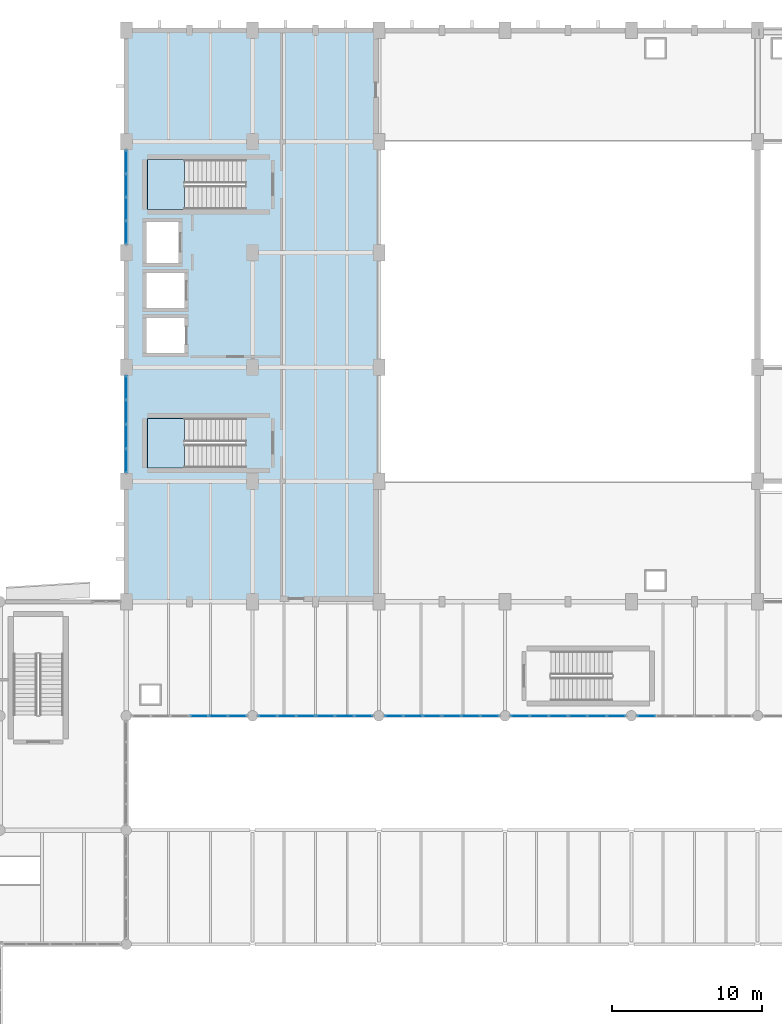
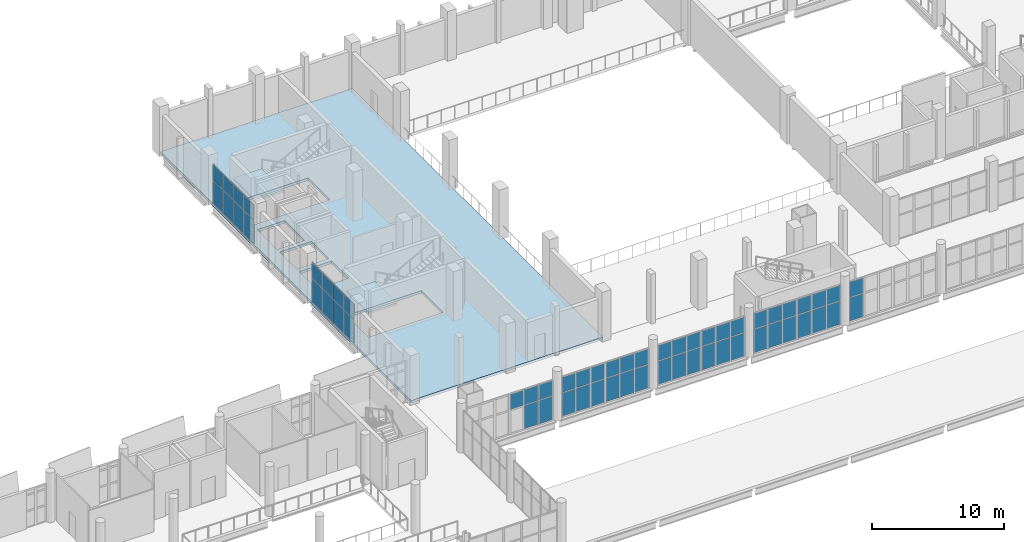
# One storey, part 102 of 136: 59 plates, 3 slabs, 12 elements without a shape of their own.
"""IFC4 building model written with IfcOpenShell, lengths in metres."""

from ifc_helpers import new_model, si_unit, direction, frame, origin, origin_2d, place, context, subcontext, project, spatial, polyline, rectangle, outline, extrude, material, layer, layer_set, type_object, element, aggregate, save


model = new_model("IFC4")

# Units and contexts
model_context = context("Model", 3, precision=1e-05, world=origin(), true_north=direction((0.0, 1.0)))
body_context = subcontext(model_context, "Body", "Model", "MODEL_VIEW")
ifc_project = project(units=[si_unit("LENGTHUNIT", "METRE"), si_unit("AREAUNIT", "SQUARE_METRE"), si_unit("VOLUMEUNIT", "CUBIC_METRE"), si_unit("PLANEANGLEUNIT", "RADIAN"), si_unit("MASSUNIT", "GRAM", prefix="KILO")], contexts=[model_context])

# Site, building, storey
site_placement = place(None, origin())
site = spatial("IfcSite", under=ifc_project, at=site_placement, CompositionType="ELEMENT")
building_placement = place(site_placement, origin())
building = spatial("IfcBuilding", under=site, at=building_placement, Name="Shengluoqiao Park Theatre", CompositionType="ELEMENT")
storey_placement = place(building_placement, frame((0.0, 0.0, 10.0)))
storey = spatial("IfcBuildingStorey", under=building, at=storey_placement, Name="L02", CompositionType="ELEMENT", Elevation=10.0)

# Curtain wall, plates
ifc_material_1 = material(Name="Aluminium 6063-T6", Category="aluminium")
curtain_wall_type_1 = type_object("IfcCurtainWallType", Name="ENV-CW-PROM", PredefinedType="NOTDEFINED", material=ifc_material_1)
curtain_wall_1_placement = place(storey_placement, origin())
curtain_wall_1 = element("IfcCurtainWall", 1, at=curtain_wall_1_placement, inside=storey, type_object=curtain_wall_type_1, Name="L02 Curtain Wall CW-L02-0067", PredefinedType="NOTDEFINED")
ifc_material_2 = material(Name="Insulated glass", Category="glass")
ifc_layer_1 = layer(ifc_material_2, 0.0380859375, Name="Insulated glass")
ifc_layer_set_1 = layer_set([ifc_layer_1], Name="Insulated glass")
plate_type_1 = type_object("IfcPlateType", Name="ENV-GLZ-GL-38", PredefinedType="CURTAIN_PANEL", material=ifc_layer_set_1)
plate_1_placement = place(storey_placement, frame((49.25732421875, 68.39990234375, 2.277587890625), z_axis=(0.0, 0.0, 1.0), x_axis=(1.0, 0.0, 0.0)))
plate_1 = element("IfcPlate", 2, at=plate_1_placement, type_object=plate_type_1, Name="CW-04 panel 1.2", PredefinedType="CURTAIN_PANEL", context=body_context, shape_type="SweptSolid", body=[
    extrude(rectangle(XDim=1.1845703125, YDim=0.0380859375, at=origin_2d()), origin(), (0.0, 0.0, 1.0), 1.3994140625),
])
plate_2_placement = place(storey_placement, frame((50.52294921875, 68.39990234375, 0.06494140625), z_axis=(0.0, 0.0, 1.0), x_axis=(1.0, 0.0, 0.0)))
plate_2 = element("IfcPlate", 3, at=plate_2_placement, type_object=plate_type_1, Name="CW-04 panel 2.1", PredefinedType="CURTAIN_PANEL", context=body_context, shape_type="SweptSolid", body=[
    extrude(rectangle(XDim=1.217041015625, YDim=0.0380859375, at=origin_2d()), origin(), (0.0, 0.0, 1.0), 2.1474609375),
])
plate_3_placement = place(storey_placement, frame((50.52294921875, 68.39990234375, 2.277587890625), z_axis=(0.0, 0.0, 1.0), x_axis=(1.0, 0.0, 0.0)))
plate_3 = element("IfcPlate", 4, at=plate_3_placement, type_object=plate_type_1, Name="CW-04 panel 2.2", PredefinedType="CURTAIN_PANEL", context=body_context, shape_type="SweptSolid", body=[
    extrude(rectangle(XDim=1.217041015625, YDim=0.0380859375, at=origin_2d()), origin(), (0.0, 0.0, 1.0), 1.3994140625),
])
plate_4_placement = place(storey_placement, frame((51.788818359375, 68.39990234375, 0.06494140625), z_axis=(0.0, 0.0, 1.0), x_axis=(1.0, 0.0, 0.0)))
plate_4 = element("IfcPlate", 5, at=plate_4_placement, type_object=plate_type_1, Name="CW-04 panel 3.1", PredefinedType="CURTAIN_PANEL", context=body_context, shape_type="SweptSolid", body=[
    extrude(rectangle(XDim=1.1845703125, YDim=0.0380859375, at=origin_2d()), origin(), (0.0, 0.0, 1.0), 2.1474609375),
])
plate_5_placement = place(storey_placement, frame((51.788818359375, 68.39990234375, 2.277587890625), z_axis=(0.0, 0.0, 1.0), x_axis=(1.0, 0.0, 0.0)))
plate_5 = element("IfcPlate", 6, at=plate_5_placement, type_object=plate_type_1, Name="CW-04 panel 3.2", PredefinedType="CURTAIN_PANEL", context=body_context, shape_type="SweptSolid", body=[
    extrude(rectangle(XDim=1.1845703125, YDim=0.0380859375, at=origin_2d()), origin(), (0.0, 0.0, 1.0), 1.3994140625),
])
aggregate(curtain_wall_1, [plate_1, plate_2, plate_3, plate_4, plate_5])

curtain_wall_2_placement = place(storey_placement, origin())
curtain_wall_2 = element("IfcCurtainWall", 7, at=curtain_wall_2_placement, inside=storey, type_object=curtain_wall_type_1, Name="L02 Curtain Wall CW-L02-0068", PredefinedType="NOTDEFINED")
plate_6_placement = place(storey_placement, frame((53.811279296875, 68.39990234375, 0.06494140625), z_axis=(0.0, 0.0, 1.0), x_axis=(1.0, 0.0, 0.0)))
plate_6 = element("IfcPlate", 8, at=plate_6_placement, type_object=plate_type_1, Name="CW-04 panel 1.1", PredefinedType="CURTAIN_PANEL", context=body_context, shape_type="SweptSolid", body=[
    extrude(rectangle(XDim=1.1845703125, YDim=0.0380859375, at=origin_2d()), origin(), (0.0, 0.0, 1.0), 2.1474609375),
])
plate_7_placement = place(storey_placement, frame((53.811279296875, 68.39990234375, 2.277587890625), z_axis=(0.0, 0.0, 1.0), x_axis=(1.0, 0.0, 0.0)))
plate_7 = element("IfcPlate", 9, at=plate_7_placement, type_object=plate_type_1, Name="CW-04 panel 1.2", PredefinedType="CURTAIN_PANEL", context=body_context, shape_type="SweptSolid", body=[
    extrude(rectangle(XDim=1.1845703125, YDim=0.0380859375, at=origin_2d()), origin(), (0.0, 0.0, 1.0), 1.3994140625),
])
plate_8_placement = place(storey_placement, frame((55.076904296875, 68.39990234375, 0.06494140625), z_axis=(0.0, 0.0, 1.0), x_axis=(1.0, 0.0, 0.0)))
plate_8 = element("IfcPlate", 10, at=plate_8_placement, type_object=plate_type_1, Name="CW-04 panel 2.1", PredefinedType="CURTAIN_PANEL", context=body_context, shape_type="SweptSolid", body=[
    extrude(rectangle(XDim=1.217041015625, YDim=0.0380859375, at=origin_2d()), origin(), (0.0, 0.0, 1.0), 2.1474609375),
])
plate_9_placement = place(storey_placement, frame((55.076904296875, 68.39990234375, 2.277587890625), z_axis=(0.0, 0.0, 1.0), x_axis=(1.0, 0.0, 0.0)))
plate_9 = element("IfcPlate", 11, at=plate_9_placement, type_object=plate_type_1, Name="CW-04 panel 2.2", PredefinedType="CURTAIN_PANEL", context=body_context, shape_type="SweptSolid", body=[
    extrude(rectangle(XDim=1.217041015625, YDim=0.0380859375, at=origin_2d()), origin(), (0.0, 0.0, 1.0), 1.3994140625),
])
plate_10_placement = place(storey_placement, frame((56.3427734375, 68.39990234375, 0.06494140625), z_axis=(0.0, 0.0, 1.0), x_axis=(1.0, 0.0, 0.0)))
plate_10 = element("IfcPlate", 12, at=plate_10_placement, type_object=plate_type_1, Name="CW-04 panel 3.1", PredefinedType="CURTAIN_PANEL", context=body_context, shape_type="SweptSolid", body=[
    extrude(rectangle(XDim=1.1845703125, YDim=0.0380859375, at=origin_2d()), origin(), (0.0, 0.0, 1.0), 2.1474609375),
])
plate_11_placement = place(storey_placement, frame((56.3427734375, 68.39990234375, 2.277587890625), z_axis=(0.0, 0.0, 1.0), x_axis=(1.0, 0.0, 0.0)))
plate_11 = element("IfcPlate", 13, at=plate_11_placement, type_object=plate_type_1, Name="CW-04 panel 3.2", PredefinedType="CURTAIN_PANEL", context=body_context, shape_type="SweptSolid", body=[
    extrude(rectangle(XDim=1.1845703125, YDim=0.0380859375, at=origin_2d()), origin(), (0.0, 0.0, 1.0), 1.3994140625),
])
aggregate(curtain_wall_2, [plate_6, plate_7, plate_8, plate_9, plate_10, plate_11])

curtain_wall_3_placement = place(storey_placement, origin())
curtain_wall_3 = element("IfcCurtainWall", 14, at=curtain_wall_3_placement, inside=storey, type_object=curtain_wall_type_1, Name="L02 Curtain Wall CW-L02-0069", PredefinedType="NOTDEFINED")
plate_12_placement = place(storey_placement, frame((57.6572265625, 68.39990234375, 0.06494140625), z_axis=(0.0, 0.0, 1.0), x_axis=(1.0, 0.0, 0.0)))
plate_12 = element("IfcPlate", 15, at=plate_12_placement, type_object=plate_type_1, Name="CW-04 panel 1.1", PredefinedType="CURTAIN_PANEL", context=body_context, shape_type="SweptSolid", body=[
    extrude(rectangle(XDim=1.1845703125, YDim=0.0380859375, at=origin_2d()), origin(), (0.0, 0.0, 1.0), 2.1474609375),
])
plate_13_placement = place(storey_placement, frame((57.6572265625, 68.39990234375, 2.277587890625), z_axis=(0.0, 0.0, 1.0), x_axis=(1.0, 0.0, 0.0)))
plate_13 = element("IfcPlate", 16, at=plate_13_placement, type_object=plate_type_1, Name="CW-04 panel 1.2", PredefinedType="CURTAIN_PANEL", context=body_context, shape_type="SweptSolid", body=[
    extrude(rectangle(XDim=1.1845703125, YDim=0.0380859375, at=origin_2d()), origin(), (0.0, 0.0, 1.0), 1.3994140625),
])
plate_14_placement = place(storey_placement, frame((58.923095703125, 68.39990234375, 0.06494140625), z_axis=(0.0, 0.0, 1.0), x_axis=(1.0, 0.0, 0.0)))
plate_14 = element("IfcPlate", 17, at=plate_14_placement, type_object=plate_type_1, Name="CW-04 panel 2.1", PredefinedType="CURTAIN_PANEL", context=body_context, shape_type="SweptSolid", body=[
    extrude(rectangle(XDim=1.217041015625, YDim=0.0380859375, at=origin_2d()), origin(), (0.0, 0.0, 1.0), 2.1474609375),
])
plate_15_placement = place(storey_placement, frame((58.923095703125, 68.39990234375, 2.277587890625), z_axis=(0.0, 0.0, 1.0), x_axis=(1.0, 0.0, 0.0)))
plate_15 = element("IfcPlate", 18, at=plate_15_placement, type_object=plate_type_1, Name="CW-04 panel 2.2", PredefinedType="CURTAIN_PANEL", context=body_context, shape_type="SweptSolid", body=[
    extrude(rectangle(XDim=1.217041015625, YDim=0.0380859375, at=origin_2d()), origin(), (0.0, 0.0, 1.0), 1.3994140625),
])
plate_16_placement = place(storey_placement, frame((60.188720703125, 68.39990234375, 0.06494140625), z_axis=(0.0, 0.0, 1.0), x_axis=(1.0, 0.0, 0.0)))
plate_16 = element("IfcPlate", 19, at=plate_16_placement, type_object=plate_type_1, Name="CW-04 panel 3.1", PredefinedType="CURTAIN_PANEL", context=body_context, shape_type="SweptSolid", body=[
    extrude(rectangle(XDim=1.1845703125, YDim=0.0380859375, at=origin_2d()), origin(), (0.0, 0.0, 1.0), 2.1474609375),
])
plate_17_placement = place(storey_placement, frame((60.188720703125, 68.39990234375, 2.277587890625), z_axis=(0.0, 0.0, 1.0), x_axis=(1.0, 0.0, 0.0)))
plate_17 = element("IfcPlate", 20, at=plate_17_placement, type_object=plate_type_1, Name="CW-04 panel 3.2", PredefinedType="CURTAIN_PANEL", context=body_context, shape_type="SweptSolid", body=[
    extrude(rectangle(XDim=1.1845703125, YDim=0.0380859375, at=origin_2d()), origin(), (0.0, 0.0, 1.0), 1.3994140625),
])
aggregate(curtain_wall_3, [plate_12, plate_13, plate_14, plate_15, plate_16, plate_17])

curtain_wall_4_placement = place(storey_placement, origin())
curtain_wall_4 = element("IfcCurtainWall", 21, at=curtain_wall_4_placement, inside=storey, type_object=curtain_wall_type_1, Name="L02 Curtain Wall CW-L02-0070", PredefinedType="NOTDEFINED")
plate_18_placement = place(storey_placement, frame((62.211181640625, 68.39990234375, 0.06494140625), z_axis=(0.0, 0.0, 1.0), x_axis=(1.0, 0.0, 0.0)))
plate_18 = element("IfcPlate", 22, at=plate_18_placement, type_object=plate_type_1, Name="CW-04 panel 1.1", PredefinedType="CURTAIN_PANEL", context=body_context, shape_type="SweptSolid", body=[
    extrude(rectangle(XDim=1.1845703125, YDim=0.0380859375, at=origin_2d()), origin(), (0.0, 0.0, 1.0), 2.1474609375),
])
plate_19_placement = place(storey_placement, frame((62.211181640625, 68.39990234375, 2.277587890625), z_axis=(0.0, 0.0, 1.0), x_axis=(1.0, 0.0, 0.0)))
plate_19 = element("IfcPlate", 23, at=plate_19_placement, type_object=plate_type_1, Name="CW-04 panel 1.2", PredefinedType="CURTAIN_PANEL", context=body_context, shape_type="SweptSolid", body=[
    extrude(rectangle(XDim=1.1845703125, YDim=0.0380859375, at=origin_2d()), origin(), (0.0, 0.0, 1.0), 1.3994140625),
])
plate_20_placement = place(storey_placement, frame((63.47705078125, 68.39990234375, 0.06494140625), z_axis=(0.0, 0.0, 1.0), x_axis=(1.0, 0.0, 0.0)))
plate_20 = element("IfcPlate", 24, at=plate_20_placement, type_object=plate_type_1, Name="CW-04 panel 2.1", PredefinedType="CURTAIN_PANEL", context=body_context, shape_type="SweptSolid", body=[
    extrude(rectangle(XDim=1.217041015625, YDim=0.0380859375, at=origin_2d()), origin(), (0.0, 0.0, 1.0), 2.1474609375),
])
plate_21_placement = place(storey_placement, frame((63.47705078125, 68.39990234375, 2.277587890625), z_axis=(0.0, 0.0, 1.0), x_axis=(1.0, 0.0, 0.0)))
plate_21 = element("IfcPlate", 25, at=plate_21_placement, type_object=plate_type_1, Name="CW-04 panel 2.2", PredefinedType="CURTAIN_PANEL", context=body_context, shape_type="SweptSolid", body=[
    extrude(rectangle(XDim=1.217041015625, YDim=0.0380859375, at=origin_2d()), origin(), (0.0, 0.0, 1.0), 1.3994140625),
])
plate_22_placement = place(storey_placement, frame((64.74267578125, 68.39990234375, 0.06494140625), z_axis=(0.0, 0.0, 1.0), x_axis=(1.0, 0.0, 0.0)))
plate_22 = element("IfcPlate", 26, at=plate_22_placement, type_object=plate_type_1, Name="CW-04 panel 3.1", PredefinedType="CURTAIN_PANEL", context=body_context, shape_type="SweptSolid", body=[
    extrude(rectangle(XDim=1.1845703125, YDim=0.0380859375, at=origin_2d()), origin(), (0.0, 0.0, 1.0), 2.1474609375),
])
plate_23_placement = place(storey_placement, frame((64.74267578125, 68.39990234375, 2.277587890625), z_axis=(0.0, 0.0, 1.0), x_axis=(1.0, 0.0, 0.0)))
plate_23 = element("IfcPlate", 27, at=plate_23_placement, type_object=plate_type_1, Name="CW-04 panel 3.2", PredefinedType="CURTAIN_PANEL", context=body_context, shape_type="SweptSolid", body=[
    extrude(rectangle(XDim=1.1845703125, YDim=0.0380859375, at=origin_2d()), origin(), (0.0, 0.0, 1.0), 1.3994140625),
])
aggregate(curtain_wall_4, [plate_18, plate_19, plate_20, plate_21, plate_22, plate_23])

curtain_wall_5_placement = place(storey_placement, origin())
curtain_wall_5 = element("IfcCurtainWall", 28, at=curtain_wall_5_placement, inside=storey, type_object=curtain_wall_type_1, Name="L02 Curtain Wall CW-L02-0071", PredefinedType="NOTDEFINED")
plate_24_placement = place(storey_placement, frame((66.05712890625, 68.39990234375, 0.06494140625), z_axis=(0.0, 0.0, 1.0), x_axis=(1.0, 0.0, 0.0)))
plate_24 = element("IfcPlate", 29, at=plate_24_placement, type_object=plate_type_1, Name="CW-04 panel 1.1", PredefinedType="CURTAIN_PANEL", context=body_context, shape_type="SweptSolid", body=[
    extrude(rectangle(XDim=1.1845703125, YDim=0.0380859375, at=origin_2d()), origin(), (0.0, 0.0, 1.0), 2.1474609375),
])
plate_25_placement = place(storey_placement, frame((66.05712890625, 68.39990234375, 2.277587890625), z_axis=(0.0, 0.0, 1.0), x_axis=(1.0, 0.0, 0.0)))
plate_25 = element("IfcPlate", 30, at=plate_25_placement, type_object=plate_type_1, Name="CW-04 panel 1.2", PredefinedType="CURTAIN_PANEL", context=body_context, shape_type="SweptSolid", body=[
    extrude(rectangle(XDim=1.1845703125, YDim=0.0380859375, at=origin_2d()), origin(), (0.0, 0.0, 1.0), 1.3994140625),
])
plate_26_placement = place(storey_placement, frame((67.322998046875, 68.39990234375, 0.06494140625), z_axis=(0.0, 0.0, 1.0), x_axis=(1.0, 0.0, 0.0)))
plate_26 = element("IfcPlate", 31, at=plate_26_placement, type_object=plate_type_1, Name="CW-04 panel 2.1", PredefinedType="CURTAIN_PANEL", context=body_context, shape_type="SweptSolid", body=[
    extrude(rectangle(XDim=1.217041015625, YDim=0.0380859375, at=origin_2d()), origin(), (0.0, 0.0, 1.0), 2.1474609375),
])
plate_27_placement = place(storey_placement, frame((67.322998046875, 68.39990234375, 2.277587890625), z_axis=(0.0, 0.0, 1.0), x_axis=(1.0, 0.0, 0.0)))
plate_27 = element("IfcPlate", 32, at=plate_27_placement, type_object=plate_type_1, Name="CW-04 panel 2.2", PredefinedType="CURTAIN_PANEL", context=body_context, shape_type="SweptSolid", body=[
    extrude(rectangle(XDim=1.217041015625, YDim=0.0380859375, at=origin_2d()), origin(), (0.0, 0.0, 1.0), 1.3994140625),
])
plate_28_placement = place(storey_placement, frame((68.5888671875, 68.39990234375, 0.06494140625), z_axis=(0.0, 0.0, 1.0), x_axis=(1.0, 0.0, 0.0)))
plate_28 = element("IfcPlate", 33, at=plate_28_placement, type_object=plate_type_1, Name="CW-04 panel 3.1", PredefinedType="CURTAIN_PANEL", context=body_context, shape_type="SweptSolid", body=[
    extrude(rectangle(XDim=1.1845703125, YDim=0.0380859375, at=origin_2d()), origin(), (0.0, 0.0, 1.0), 2.1474609375),
])
plate_29_placement = place(storey_placement, frame((68.5888671875, 68.39990234375, 2.277587890625), z_axis=(0.0, 0.0, 1.0), x_axis=(1.0, 0.0, 0.0)))
plate_29 = element("IfcPlate", 34, at=plate_29_placement, type_object=plate_type_1, Name="CW-04 panel 3.2", PredefinedType="CURTAIN_PANEL", context=body_context, shape_type="SweptSolid", body=[
    extrude(rectangle(XDim=1.1845703125, YDim=0.0380859375, at=origin_2d()), origin(), (0.0, 0.0, 1.0), 1.3994140625),
])
aggregate(curtain_wall_5, [plate_24, plate_25, plate_26, plate_27, plate_28, plate_29])

curtain_wall_6_placement = place(storey_placement, origin())
curtain_wall_6 = element("IfcCurtainWall", 35, at=curtain_wall_6_placement, inside=storey, type_object=curtain_wall_type_1, Name="L02 Curtain Wall CW-L02-0072", PredefinedType="NOTDEFINED")
plate_30_placement = place(storey_placement, frame((70.611328125, 68.39990234375, 0.06494140625), z_axis=(0.0, 0.0, 1.0), x_axis=(1.0, 0.0, 0.0)))
plate_30 = element("IfcPlate", 36, at=plate_30_placement, type_object=plate_type_1, Name="CW-04 panel 1.1", PredefinedType="CURTAIN_PANEL", context=body_context, shape_type="SweptSolid", body=[
    extrude(rectangle(XDim=1.1845703125, YDim=0.0380859375, at=origin_2d()), origin(), (0.0, 0.0, 1.0), 2.1474609375),
])
plate_31_placement = place(storey_placement, frame((70.611328125, 68.39990234375, 2.277587890625), z_axis=(0.0, 0.0, 1.0), x_axis=(1.0, 0.0, 0.0)))
plate_31 = element("IfcPlate", 37, at=plate_31_placement, type_object=plate_type_1, Name="CW-04 panel 1.2", PredefinedType="CURTAIN_PANEL", context=body_context, shape_type="SweptSolid", body=[
    extrude(rectangle(XDim=1.1845703125, YDim=0.0380859375, at=origin_2d()), origin(), (0.0, 0.0, 1.0), 1.3994140625),
])
plate_32_placement = place(storey_placement, frame((71.876953125, 68.39990234375, 0.06494140625), z_axis=(0.0, 0.0, 1.0), x_axis=(1.0, 0.0, 0.0)))
plate_32 = element("IfcPlate", 38, at=plate_32_placement, type_object=plate_type_1, Name="CW-04 panel 2.1", PredefinedType="CURTAIN_PANEL", context=body_context, shape_type="SweptSolid", body=[
    extrude(rectangle(XDim=1.217041015625, YDim=0.0380859375, at=origin_2d()), origin(), (0.0, 0.0, 1.0), 2.1474609375),
])
plate_33_placement = place(storey_placement, frame((71.876953125, 68.39990234375, 2.277587890625), z_axis=(0.0, 0.0, 1.0), x_axis=(1.0, 0.0, 0.0)))
plate_33 = element("IfcPlate", 39, at=plate_33_placement, type_object=plate_type_1, Name="CW-04 panel 2.2", PredefinedType="CURTAIN_PANEL", context=body_context, shape_type="SweptSolid", body=[
    extrude(rectangle(XDim=1.217041015625, YDim=0.0380859375, at=origin_2d()), origin(), (0.0, 0.0, 1.0), 1.3994140625),
])
plate_34_placement = place(storey_placement, frame((73.142822265625, 68.39990234375, 0.06494140625), z_axis=(0.0, 0.0, 1.0), x_axis=(1.0, 0.0, 0.0)))
plate_34 = element("IfcPlate", 40, at=plate_34_placement, type_object=plate_type_1, Name="CW-04 panel 3.1", PredefinedType="CURTAIN_PANEL", context=body_context, shape_type="SweptSolid", body=[
    extrude(rectangle(XDim=1.1845703125, YDim=0.0380859375, at=origin_2d()), origin(), (0.0, 0.0, 1.0), 2.1474609375),
])
plate_35_placement = place(storey_placement, frame((73.142822265625, 68.39990234375, 2.277587890625), z_axis=(0.0, 0.0, 1.0), x_axis=(1.0, 0.0, 0.0)))
plate_35 = element("IfcPlate", 41, at=plate_35_placement, type_object=plate_type_1, Name="CW-04 panel 3.2", PredefinedType="CURTAIN_PANEL", context=body_context, shape_type="SweptSolid", body=[
    extrude(rectangle(XDim=1.1845703125, YDim=0.0380859375, at=origin_2d()), origin(), (0.0, 0.0, 1.0), 1.3994140625),
])
aggregate(curtain_wall_6, [plate_30, plate_31, plate_32, plate_33, plate_34, plate_35])

curtain_wall_7_placement = place(storey_placement, origin())
curtain_wall_7 = element("IfcCurtainWall", 42, at=curtain_wall_7_placement, inside=storey, type_object=curtain_wall_type_1, Name="L02 Curtain Wall CW-L02-0073", PredefinedType="NOTDEFINED")
plate_36_placement = place(storey_placement, frame((74.457275390625, 68.39990234375, 0.06494140625), z_axis=(0.0, 0.0, 1.0), x_axis=(1.0, 0.0, 0.0)))
plate_36 = element("IfcPlate", 43, at=plate_36_placement, type_object=plate_type_1, Name="CW-04 panel 1.1", PredefinedType="CURTAIN_PANEL", context=body_context, shape_type="SweptSolid", body=[
    extrude(rectangle(XDim=1.1845703125, YDim=0.0380859375, at=origin_2d()), origin(), (0.0, 0.0, 1.0), 2.1474609375),
])
plate_37_placement = place(storey_placement, frame((74.457275390625, 68.39990234375, 2.277587890625), z_axis=(0.0, 0.0, 1.0), x_axis=(1.0, 0.0, 0.0)))
plate_37 = element("IfcPlate", 44, at=plate_37_placement, type_object=plate_type_1, Name="CW-04 panel 1.2", PredefinedType="CURTAIN_PANEL", context=body_context, shape_type="SweptSolid", body=[
    extrude(rectangle(XDim=1.1845703125, YDim=0.0380859375, at=origin_2d()), origin(), (0.0, 0.0, 1.0), 1.3994140625),
])
plate_38_placement = place(storey_placement, frame((75.722900390625, 68.39990234375, 0.06494140625), z_axis=(0.0, 0.0, 1.0), x_axis=(1.0, 0.0, 0.0)))
plate_38 = element("IfcPlate", 45, at=plate_38_placement, type_object=plate_type_1, Name="CW-04 panel 2.1", PredefinedType="CURTAIN_PANEL", context=body_context, shape_type="SweptSolid", body=[
    extrude(rectangle(XDim=1.217041015625, YDim=0.0380859375, at=origin_2d()), origin(), (0.0, 0.0, 1.0), 2.1474609375),
])
plate_39_placement = place(storey_placement, frame((75.722900390625, 68.39990234375, 2.277587890625), z_axis=(0.0, 0.0, 1.0), x_axis=(1.0, 0.0, 0.0)))
plate_39 = element("IfcPlate", 46, at=plate_39_placement, type_object=plate_type_1, Name="CW-04 panel 2.2", PredefinedType="CURTAIN_PANEL", context=body_context, shape_type="SweptSolid", body=[
    extrude(rectangle(XDim=1.217041015625, YDim=0.0380859375, at=origin_2d()), origin(), (0.0, 0.0, 1.0), 1.3994140625),
])
plate_40_placement = place(storey_placement, frame((76.98876953125, 68.39990234375, 0.06494140625), z_axis=(0.0, 0.0, 1.0), x_axis=(1.0, 0.0, 0.0)))
plate_40 = element("IfcPlate", 47, at=plate_40_placement, type_object=plate_type_1, Name="CW-04 panel 3.1", PredefinedType="CURTAIN_PANEL", context=body_context, shape_type="SweptSolid", body=[
    extrude(rectangle(XDim=1.1845703125, YDim=0.0380859375, at=origin_2d()), origin(), (0.0, 0.0, 1.0), 2.1474609375),
])
plate_41_placement = place(storey_placement, frame((76.98876953125, 68.39990234375, 2.277587890625), z_axis=(0.0, 0.0, 1.0), x_axis=(1.0, 0.0, 0.0)))
plate_41 = element("IfcPlate", 48, at=plate_41_placement, type_object=plate_type_1, Name="CW-04 panel 3.2", PredefinedType="CURTAIN_PANEL", context=body_context, shape_type="SweptSolid", body=[
    extrude(rectangle(XDim=1.1845703125, YDim=0.0380859375, at=origin_2d()), origin(), (0.0, 0.0, 1.0), 1.3994140625),
])
aggregate(curtain_wall_7, [plate_36, plate_37, plate_38, plate_39, plate_40, plate_41])

curtain_wall_8_placement = place(storey_placement, origin())
curtain_wall_8 = element("IfcCurtainWall", 49, at=curtain_wall_8_placement, inside=storey, type_object=curtain_wall_type_1, Name="L02 Curtain Wall CW-L02-0074", PredefinedType="NOTDEFINED")
plate_42_placement = place(storey_placement, frame((79.01123046875, 68.39990234375, 0.06494140625), z_axis=(0.0, 0.0, 1.0), x_axis=(1.0, 0.0, 0.0)))
plate_42 = element("IfcPlate", 50, at=plate_42_placement, type_object=plate_type_1, Name="CW-04 panel 1.1", PredefinedType="CURTAIN_PANEL", context=body_context, shape_type="SweptSolid", body=[
    extrude(rectangle(XDim=1.1845703125, YDim=0.0380859375, at=origin_2d()), origin(), (0.0, 0.0, 1.0), 2.1474609375),
])
plate_43_placement = place(storey_placement, frame((79.01123046875, 68.39990234375, 2.277587890625), z_axis=(0.0, 0.0, 1.0), x_axis=(1.0, 0.0, 0.0)))
plate_43 = element("IfcPlate", 51, at=plate_43_placement, type_object=plate_type_1, Name="CW-04 panel 1.2", PredefinedType="CURTAIN_PANEL", context=body_context, shape_type="SweptSolid", body=[
    extrude(rectangle(XDim=1.1845703125, YDim=0.0380859375, at=origin_2d()), origin(), (0.0, 0.0, 1.0), 1.3994140625),
])
aggregate(curtain_wall_8, [plate_42, plate_43])

curtain_wall_type_2 = type_object("IfcCurtainWallType", Name="ENV-CW-CLERE", PredefinedType="NOTDEFINED", material=ifc_material_1)
curtain_wall_9_placement = place(storey_placement, origin())
curtain_wall_9 = element("IfcCurtainWall", 52, at=curtain_wall_9_placement, inside=storey, type_object=curtain_wall_type_2, Name="L02 Curtain Wall CW-L02-0005", PredefinedType="NOTDEFINED")
ifc_layer_2 = layer(ifc_material_2, 0.048095703125, Name="Insulated glass")
ifc_layer_set_2 = layer_set([ifc_layer_2], Name="Insulated glass")
plate_type_2 = type_object("IfcPlateType", Name="ENV-GLZ-GL-48", PredefinedType="CURTAIN_PANEL", material=ifc_layer_set_2)
plate_44_placement = place(storey_placement, frame((44.39990234375, 85.3818359375, 0.06494140625), z_axis=(0.0, 0.0, 1.0), x_axis=(0.0, 1.0, 0.0)))
plate_44 = element("IfcPlate", 53, at=plate_44_placement, type_object=plate_type_2, Name="CW-06 panel 1.1", PredefinedType="CURTAIN_PANEL", context=body_context, shape_type="SweptSolid", body=[
    extrude(rectangle(XDim=1.525390625, YDim=0.048095703125, at=origin_2d()), origin(), (0.0, 0.0, 1.0), 2.152587890625),
])
plate_45_placement = place(storey_placement, frame((44.39990234375, 85.3818359375, 2.2822265625), z_axis=(0.0, 0.0, 1.0), x_axis=(0.0, 1.0, 0.0)))
plate_45 = element("IfcPlate", 54, at=plate_45_placement, type_object=plate_type_2, Name="CW-06 panel 1.2", PredefinedType="CURTAIN_PANEL", context=body_context, shape_type="SweptSolid", body=[
    extrude(rectangle(XDim=1.525390625, YDim=0.048095703125, at=origin_2d()), origin(), (0.0, 0.0, 1.0), 1.402587890625),
])
plate_46_placement = place(storey_placement, frame((44.39990234375, 86.988525390625, 0.06494140625), z_axis=(0.0, 0.0, 1.0), x_axis=(0.0, 1.0, 0.0)))
plate_46 = element("IfcPlate", 55, at=plate_46_placement, type_object=plate_type_2, Name="CW-06 panel 2.1", PredefinedType="CURTAIN_PANEL", context=body_context, shape_type="SweptSolid", body=[
    extrude(rectangle(XDim=1.55810546875, YDim=0.048095703125, at=origin_2d()), origin(), (0.0, 0.0, 1.0), 2.152587890625),
])
plate_47_placement = place(storey_placement, frame((44.39990234375, 86.988525390625, 2.2822265625), z_axis=(0.0, 0.0, 1.0), x_axis=(0.0, 1.0, 0.0)))
plate_47 = element("IfcPlate", 56, at=plate_47_placement, type_object=plate_type_2, Name="CW-06 panel 2.2", PredefinedType="CURTAIN_PANEL", context=body_context, shape_type="SweptSolid", body=[
    extrude(rectangle(XDim=1.55810546875, YDim=0.048095703125, at=origin_2d()), origin(), (0.0, 0.0, 1.0), 1.402587890625),
])
plate_48_placement = place(storey_placement, frame((44.39990234375, 88.611572265625, 0.06494140625), z_axis=(0.0, 0.0, 1.0), x_axis=(0.0, 1.0, 0.0)))
plate_48 = element("IfcPlate", 57, at=plate_48_placement, type_object=plate_type_2, Name="CW-06 panel 3.1", PredefinedType="CURTAIN_PANEL", context=body_context, shape_type="SweptSolid", body=[
    extrude(rectangle(XDim=1.55810546875, YDim=0.048095703125, at=origin_2d()), origin(), (0.0, 0.0, 1.0), 2.152587890625),
])
plate_49_placement = place(storey_placement, frame((44.39990234375, 88.611572265625, 2.2822265625), z_axis=(0.0, 0.0, 1.0), x_axis=(0.0, 1.0, 0.0)))
plate_49 = element("IfcPlate", 58, at=plate_49_placement, type_object=plate_type_2, Name="CW-06 panel 3.2", PredefinedType="CURTAIN_PANEL", context=body_context, shape_type="SweptSolid", body=[
    extrude(rectangle(XDim=1.55810546875, YDim=0.048095703125, at=origin_2d()), origin(), (0.0, 0.0, 1.0), 1.402587890625),
])
plate_50_placement = place(storey_placement, frame((44.39990234375, 90.21826171875, 0.06494140625), z_axis=(0.0, 0.0, 1.0), x_axis=(0.0, 1.0, 0.0)))
plate_50 = element("IfcPlate", 59, at=plate_50_placement, type_object=plate_type_2, Name="CW-06 panel 4.1", PredefinedType="CURTAIN_PANEL", context=body_context, shape_type="SweptSolid", body=[
    extrude(rectangle(XDim=1.525390625, YDim=0.048095703125, at=origin_2d()), origin(), (0.0, 0.0, 1.0), 2.152587890625),
])
plate_51_placement = place(storey_placement, frame((44.39990234375, 90.21826171875, 2.2822265625), z_axis=(0.0, 0.0, 1.0), x_axis=(0.0, 1.0, 0.0)))
plate_51 = element("IfcPlate", 60, at=plate_51_placement, type_object=plate_type_2, Name="CW-06 panel 4.2", PredefinedType="CURTAIN_PANEL", context=body_context, shape_type="SweptSolid", body=[
    extrude(rectangle(XDim=1.525390625, YDim=0.048095703125, at=origin_2d()), origin(), (0.0, 0.0, 1.0), 1.402587890625),
])
aggregate(curtain_wall_9, [plate_44, plate_45, plate_46, plate_47, plate_48, plate_49, plate_50, plate_51])

curtain_wall_10_placement = place(storey_placement, origin())
curtain_wall_10 = element("IfcCurtainWall", 61, at=curtain_wall_10_placement, inside=storey, type_object=curtain_wall_type_2, Name="L02 Curtain Wall CW-L02-0006", PredefinedType="NOTDEFINED")
plate_52_placement = place(storey_placement, frame((44.39990234375, 100.556640625, 0.06494140625), z_axis=(0.0, 0.0, 1.0), x_axis=(0.0, 1.0, 0.0)))
plate_52 = element("IfcPlate", 62, at=plate_52_placement, type_object=plate_type_2, Name="CW-06 panel 1.1", PredefinedType="CURTAIN_PANEL", context=body_context, shape_type="SweptSolid", body=[
    extrude(rectangle(XDim=1.4755859375, YDim=0.048095703125, at=origin_2d()), origin(), (0.0, 0.0, 1.0), 2.152587890625),
])
plate_53_placement = place(storey_placement, frame((44.39990234375, 100.556640625, 2.2822265625), z_axis=(0.0, 0.0, 1.0), x_axis=(0.0, 1.0, 0.0)))
plate_53 = element("IfcPlate", 63, at=plate_53_placement, type_object=plate_type_2, Name="CW-06 panel 1.2", PredefinedType="CURTAIN_PANEL", context=body_context, shape_type="SweptSolid", body=[
    extrude(rectangle(XDim=1.4755859375, YDim=0.048095703125, at=origin_2d()), origin(), (0.0, 0.0, 1.0), 1.402587890625),
])
plate_54_placement = place(storey_placement, frame((44.39990234375, 102.113525390625, 0.06494140625), z_axis=(0.0, 0.0, 1.0), x_axis=(0.0, 1.0, 0.0)))
plate_54 = element("IfcPlate", 64, at=plate_54_placement, type_object=plate_type_2, Name="CW-06 panel 2.1", PredefinedType="CURTAIN_PANEL", context=body_context, shape_type="SweptSolid", body=[
    extrude(rectangle(XDim=1.508056640625, YDim=0.048095703125, at=origin_2d()), origin(), (0.0, 0.0, 1.0), 2.152587890625),
])
plate_55_placement = place(storey_placement, frame((44.39990234375, 102.113525390625, 2.2822265625), z_axis=(0.0, 0.0, 1.0), x_axis=(0.0, 1.0, 0.0)))
plate_55 = element("IfcPlate", 65, at=plate_55_placement, type_object=plate_type_2, Name="CW-06 panel 2.2", PredefinedType="CURTAIN_PANEL", context=body_context, shape_type="SweptSolid", body=[
    extrude(rectangle(XDim=1.508056640625, YDim=0.048095703125, at=origin_2d()), origin(), (0.0, 0.0, 1.0), 1.402587890625),
])
plate_56_placement = place(storey_placement, frame((44.39990234375, 103.6865234375, 0.06494140625), z_axis=(0.0, 0.0, 1.0), x_axis=(0.0, 1.0, 0.0)))
plate_56 = element("IfcPlate", 66, at=plate_56_placement, type_object=plate_type_2, Name="CW-06 panel 3.1", PredefinedType="CURTAIN_PANEL", context=body_context, shape_type="SweptSolid", body=[
    extrude(rectangle(XDim=1.508056640625, YDim=0.048095703125, at=origin_2d()), origin(), (0.0, 0.0, 1.0), 2.152587890625),
])
plate_57_placement = place(storey_placement, frame((44.39990234375, 103.6865234375, 2.2822265625), z_axis=(0.0, 0.0, 1.0), x_axis=(0.0, 1.0, 0.0)))
plate_57 = element("IfcPlate", 67, at=plate_57_placement, type_object=plate_type_2, Name="CW-06 panel 3.2", PredefinedType="CURTAIN_PANEL", context=body_context, shape_type="SweptSolid", body=[
    extrude(rectangle(XDim=1.508056640625, YDim=0.048095703125, at=origin_2d()), origin(), (0.0, 0.0, 1.0), 1.402587890625),
])
plate_58_placement = place(storey_placement, frame((44.39990234375, 105.2431640625, 0.06494140625), z_axis=(0.0, 0.0, 1.0), x_axis=(0.0, 1.0, 0.0)))
plate_58 = element("IfcPlate", 68, at=plate_58_placement, type_object=plate_type_2, Name="CW-06 panel 4.1", PredefinedType="CURTAIN_PANEL", context=body_context, shape_type="SweptSolid", body=[
    extrude(rectangle(XDim=1.4755859375, YDim=0.048095703125, at=origin_2d()), origin(), (0.0, 0.0, 1.0), 2.152587890625),
])
plate_59_placement = place(storey_placement, frame((44.39990234375, 105.2431640625, 2.2822265625), z_axis=(0.0, 0.0, 1.0), x_axis=(0.0, 1.0, 0.0)))
plate_59 = element("IfcPlate", 69, at=plate_59_placement, type_object=plate_type_2, Name="CW-06 panel 4.2", PredefinedType="CURTAIN_PANEL", context=body_context, shape_type="SweptSolid", body=[
    extrude(rectangle(XDim=1.4755859375, YDim=0.048095703125, at=origin_2d()), origin(), (0.0, 0.0, 1.0), 1.402587890625),
])
aggregate(curtain_wall_10, [plate_52, plate_53, plate_54, plate_55, plate_56, plate_57, plate_58, plate_59])

# Stair, slab
ifc_material_3 = material(Name="Concrete C40", Category="concrete")
stair_type = type_object("IfcStairType", Name="INT-STR-CORE", PredefinedType="HALF_TURN_STAIR", material=ifc_material_3)
stair_1_placement = place(storey_placement, origin())
stair_1 = element("IfcStair", 70, at=stair_1_placement, inside=storey, type_object=stair_type, Name="L02 Auditorium South-West Escape Stair 02", PredefinedType="HALF_TURN_STAIR")
ifc_layer_3 = layer(ifc_material_3, 0.169921875, Name="Concrete C40")
ifc_layer_set_3 = layer_set([ifc_layer_3], Name="Concrete C40")
slab_type_1 = type_object("IfcSlabType", Name="INT-LND-SL-170", PredefinedType="LANDING", material=ifc_layer_set_3)
slab_1_placement = place(storey_placement, frame((0.0, 0.0, 2.10009765625)))
slab_1 = element("IfcSlab", 71, at=slab_1_placement, type_object=slab_type_1, Name="ST-02 landing 1", PredefinedType="LANDING", context=body_context, shape_type="SweptSolid", body=[
    extrude(outline(polyline([(48.2900390625, 88.199951171875), (45.800048828125, 88.199951171875), (45.800048828125, 84.89990234375), (48.2900390625, 84.89990234375), (48.2900390625, 88.199951171875)])), origin(), (0.0, 0.0, 1.0), 0.199951171875),
])
aggregate(stair_1, [slab_1])

stair_2_placement = place(storey_placement, origin())
stair_2 = element("IfcStair", 72, at=stair_2_placement, inside=storey, type_object=stair_type, Name="L02 Auditorium North-West Escape Stair 03", PredefinedType="HALF_TURN_STAIR")
ifc_layer_4 = layer(ifc_material_3, 0.199951171875, Name="Concrete C40")
ifc_layer_set_4 = layer_set([ifc_layer_4], Name="Concrete C40")
slab_type_2 = type_object("IfcSlabType", Name="INT-LND-SL-200", PredefinedType="LANDING", material=ifc_layer_set_4)
slab_2_placement = place(storey_placement, frame((0.0, 0.0, 2.10009765625)))
slab_2 = element("IfcSlab", 73, at=slab_2_placement, type_object=slab_type_2, Name="ST-03 landing 1", PredefinedType="LANDING", context=body_context, shape_type="SweptSolid", body=[
    extrude(outline(polyline([(48.2900390625, 105.39990234375), (45.800048828125, 105.39990234375), (45.800048828125, 102.10009765625), (48.2900390625, 102.10009765625), (48.2900390625, 105.39990234375)])), origin(), (0.0, 0.0, 1.0), 0.199951171875),
])
aggregate(stair_2, [slab_2])

# Slab
ifc_material_4 = material(Name="Concrete C35", Category="concrete")
ifc_layer_5 = layer(ifc_material_4, 0.239990234375, Name="Concrete C35")
ifc_layer_set_5 = layer_set([ifc_layer_5], Name="Concrete C35")
slab_type_3 = type_object("IfcSlabType", Name="STR-SLB-FL240", PredefinedType="FLOOR", material=ifc_layer_set_5)
slab_3_placement = place(storey_placement, frame((0.0, 0.0, -0.239990234375)))
element("IfcSlab", 74, at=slab_3_placement, inside=storey, type_object=slab_type_3, Name="Floor Slab L02-V1-BAL1", PredefinedType="FLOOR", context=body_context, shape_type="SweptSolid", body=[
    extrude(outline(polyline([(44.39990234375, 76.0), (44.39990234375, 114.0), (61.199951171875, 114.0), (61.199951171875, 76.0), (44.39990234375, 76.0)]), holes=[polyline([(52.345947265625, 88.199951171875), (45.800048828125, 88.199951171875), (45.800048828125, 84.89990234375), (52.345947265625, 84.89990234375), (52.345947265625, 88.199951171875)]), polyline([(48.39990234375, 92.39990234375), (48.39990234375, 95.0), (45.60009765625, 95.0), (45.60009765625, 92.39990234375), (48.39990234375, 92.39990234375)]), polyline([(45.60009765625, 95.39990234375), (48.39990234375, 95.39990234375), (48.39990234375, 98.0), (45.60009765625, 98.0), (45.60009765625, 95.39990234375)]), polyline([(45.60009765625, 98.39990234375), (48.0, 98.39990234375), (48.0, 101.39990234375), (45.60009765625, 101.39990234375), (45.60009765625, 98.39990234375)]), polyline([(52.345947265625, 105.39990234375), (45.800048828125, 105.39990234375), (45.800048828125, 102.10009765625), (52.345947265625, 102.10009765625), (52.345947265625, 105.39990234375)])]), origin(), (0.0, 0.0, 1.0), 0.239990234375),
])

save(model, "model.ifc")
